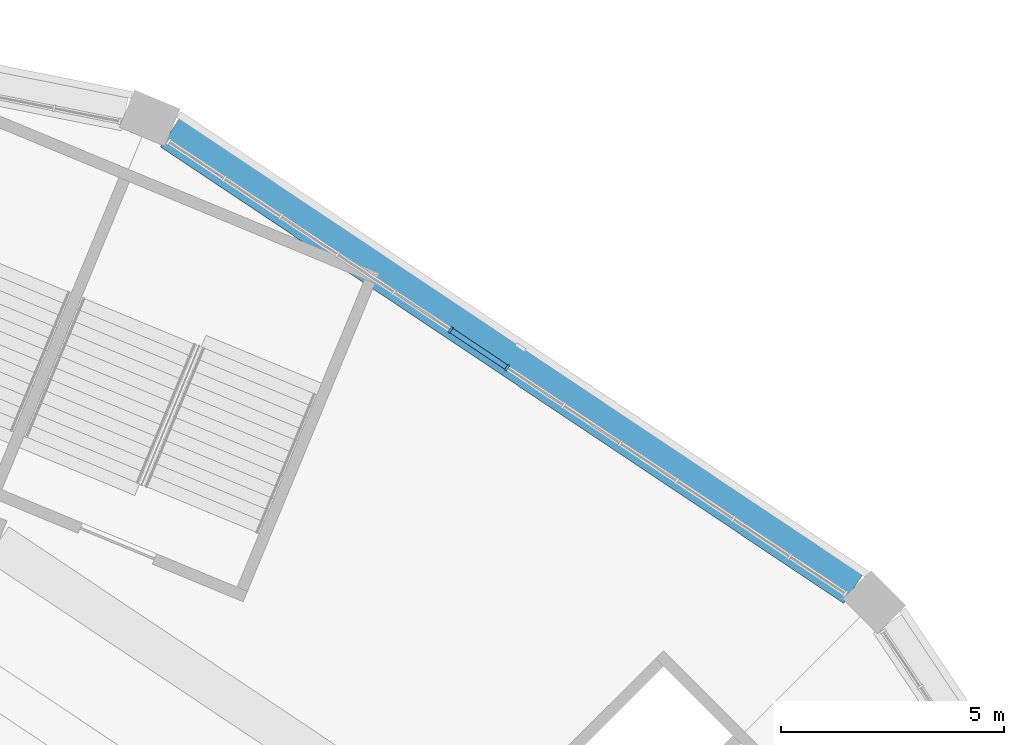
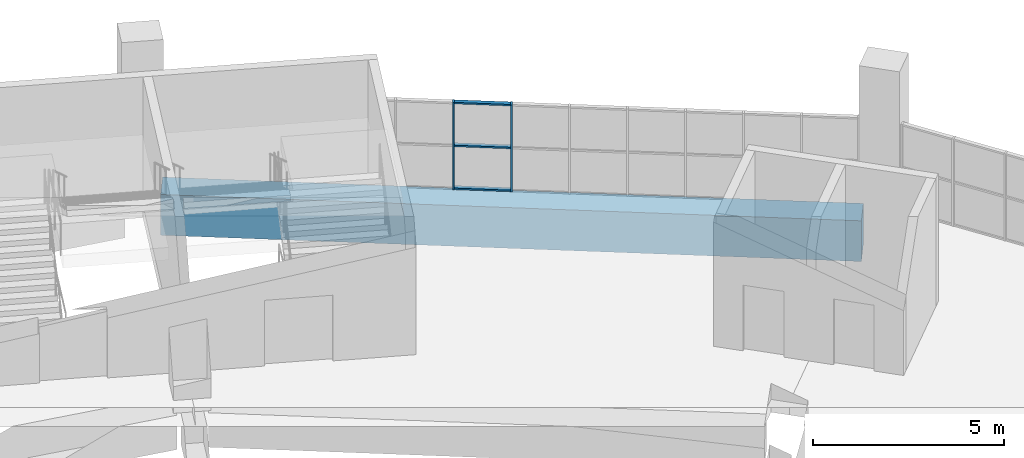
# One storey, part 61 of 249: 5 members, 1 beam, 1 element without a shape of its own.
"""IFC4 building model written with IfcOpenShell, lengths in metres."""

from ifc_helpers import new_model, si_unit, direction, frame, origin, origin_2d, place, context, subcontext, project, spatial, rectangle, extrude, material, material_profile, profile_set, type_object, element, aggregate, save


model = new_model("IFC4")

# Units and contexts
model_context = context("Model", 3, precision=1e-05, world=origin(), true_north=direction((0.0, 1.0)))
body_context = subcontext(model_context, "Body", "Model", "MODEL_VIEW")
ifc_project = project(units=[si_unit("LENGTHUNIT", "METRE"), si_unit("AREAUNIT", "SQUARE_METRE"), si_unit("VOLUMEUNIT", "CUBIC_METRE"), si_unit("PLANEANGLEUNIT", "RADIAN"), si_unit("MASSUNIT", "GRAM", prefix="KILO")], contexts=[model_context])

# Site, building, storey
site_placement = place(None, origin())
site = spatial("IfcSite", under=ifc_project, at=site_placement, CompositionType="ELEMENT")
building_placement = place(site_placement, origin())
building = spatial("IfcBuilding", under=site, at=building_placement, Name="Ogive Plaza Stadium", CompositionType="ELEMENT")
storey_placement = place(building_placement, frame((0.0, 0.0, 13.5)))
storey = spatial("IfcBuildingStorey", under=building, at=storey_placement, Name="L03", CompositionType="ELEMENT", Elevation=13.5)

# Curtain wall, members
ifc_material_1 = material(Name="Bronze-anodised aluminium with laminated glass", Category="aluminium")
curtain_wall_type = type_object("IfcCurtainWallType", Name="Lancet curtain wall", PredefinedType="NOTDEFINED", material=ifc_material_1)
curtain_wall_placement = place(storey_placement, origin())
curtain_wall = element("IfcCurtainWall", 1, at=curtain_wall_placement, inside=storey, type_object=curtain_wall_type, Name="CURTAIN WALL B38 L03", PredefinedType="NOTDEFINED")
ifc_material_2 = material(Name="Bronze-anodised aluminium", Category="aluminium")
ifc_material_profile_1 = material_profile(ifc_material_2, rectangle(XDim=0.14990234375, YDim=0.050048828125, at=origin_2d()), Name="AL 150x50")
ifc_profile_set_1 = profile_set([ifc_material_profile_1], Name="Bronze-anodised aluminium")
member_type_1 = type_object("IfcMemberType", Name="Curtain wall mullion 50x150", PredefinedType="MULLION", material=ifc_profile_set_1)
member_1_placement = place(storey_placement, frame((59.867919921875, 93.9541015625, 0.0), z_axis=(0.0, 0.0, 1.0), x_axis=(0.55557023302, 0.831469612303, 0.0)))
member_1 = element("IfcMember", 2, at=member_1_placement, type_object=member_type_1, Name="CW-B38-L03 mullion 6", PredefinedType="MULLION", context=body_context, shape_type="SweptSolid", body=[
    extrude(rectangle(XDim=0.14990234375, YDim=0.050048828125, at=origin_2d()), origin(), (0.0, 0.0, 1.0), 2.7900390625),
])
member_2_placement = place(storey_placement, frame((61.133544921875, 93.1083984375, 0.0), z_axis=(0.0, 0.0, 1.0), x_axis=(0.55557023302, 0.831469612303, 0.0)))
member_2 = element("IfcMember", 3, at=member_2_placement, type_object=member_type_1, Name="CW-B38-L03 mullion 7", PredefinedType="MULLION", context=body_context, shape_type="SweptSolid", body=[
    extrude(rectangle(XDim=0.14990234375, YDim=0.050048828125, at=origin_2d()), origin(), (0.0, 0.0, 1.0), 2.7900390625),
])
ifc_material_3 = material(Name="Bronze-anodised aluminium", Category="aluminium")
ifc_material_profile_2 = material_profile(ifc_material_3, rectangle(XDim=0.1201171875, YDim=0.050048828125, at=origin_2d()), Name="AL 120x50")
ifc_profile_set_2 = profile_set([ifc_material_profile_2], Name="Bronze-anodised aluminium")
member_type_2 = type_object("IfcMemberType", Name="Curtain wall transom 50x120", PredefinedType="USERDEFINED", material=ifc_profile_set_2)
member_3_placement = place(storey_placement, frame((59.888671875, 93.940185546875, 0.02490234375), z_axis=(0.831488586159, -0.555541835587, 0.0), x_axis=(0.555541835587, 0.831488586159, 0.0)))
member_3 = element("IfcMember", 4, at=member_3_placement, type_object=member_type_2, Name="CW-B38-L03 transom 6.1", ObjectType="TRANSOM", PredefinedType="USERDEFINED", context=body_context, shape_type="SweptSolid", body=[
    extrude(rectangle(XDim=0.1201171875, YDim=0.050048828125, at=origin_2d()), origin(), (0.0, 0.0, 1.0), 1.47216796875),
])
member_4_placement = place(storey_placement, frame((59.888671875, 93.940185546875, 1.39501953125), z_axis=(0.831488586159, -0.555541835587, 0.0), x_axis=(0.555541835587, 0.831488586159, 0.0)))
member_4 = element("IfcMember", 5, at=member_4_placement, type_object=member_type_2, Name="CW-B38-L03 transom 6.2", ObjectType="TRANSOM", PredefinedType="USERDEFINED", context=body_context, shape_type="SweptSolid", body=[
    extrude(rectangle(XDim=0.1201171875, YDim=0.050048828125, at=origin_2d()), origin(), (0.0, 0.0, 1.0), 1.47216796875),
])
member_5_placement = place(storey_placement, frame((59.888671875, 93.940185546875, 2.764892578125), z_axis=(0.831488586159, -0.555541835587, 0.0), x_axis=(0.555541835587, 0.831488586159, 0.0)))
member_5 = element("IfcMember", 6, at=member_5_placement, type_object=member_type_2, Name="CW-B38-L03 transom 6.3", ObjectType="TRANSOM", PredefinedType="USERDEFINED", context=body_context, shape_type="SweptSolid", body=[
    extrude(rectangle(XDim=0.1201171875, YDim=0.050048828125, at=origin_2d()), origin(), (0.0, 0.0, 1.0), 1.47216796875),
])
aggregate(curtain_wall, [member_1, member_2, member_3, member_4, member_5])

# Beam
ifc_material_4 = material(Name="Concrete C40/50", Category="concrete")
ifc_material_profile_3 = material_profile(ifc_material_4, rectangle(XDim=0.800048828125, YDim=1.300048828125, at=origin_2d()), Name="RC 800x1300")
ifc_profile_set_3 = profile_set([ifc_material_profile_3], Name="Concrete C40/50")
beam_type = type_object("IfcBeamType", Name="RC spandrel beam 800x1300", PredefinedType="SPANDREL", material=ifc_profile_set_3)
beam_placement = place(storey_placement, frame((53.600341796875, 98.38232421875, -1.06005859375), z_axis=(0.831477897484, -0.555557833169, 0.0), x_axis=(0.555557833169, 0.831477897484, 0.0)))
element("IfcBeam", 7, at=beam_placement, inside=storey, type_object=beam_type, Name="Ring beam F5 L03 B38", PredefinedType="SPANDREL", context=body_context, shape_type="SweptSolid", body=[
    extrude(rectangle(XDim=0.800048828125, YDim=1.300048828125, at=origin_2d()), origin(), (0.0, 0.0, 1.0), 18.387451171875),
])

save(model, "model.ifc")
